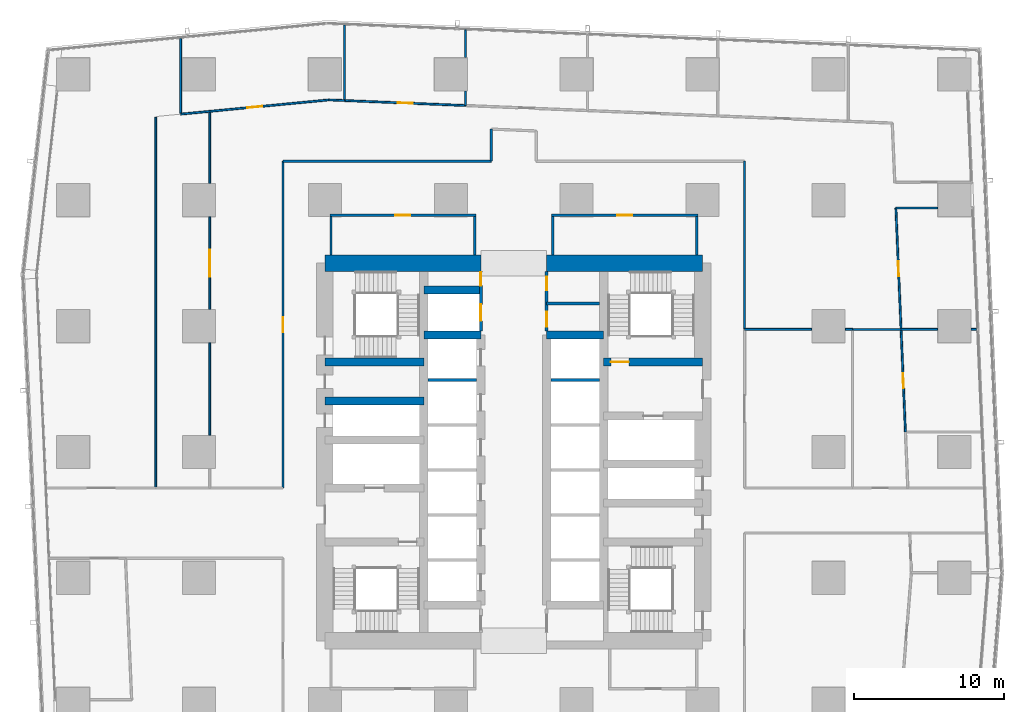
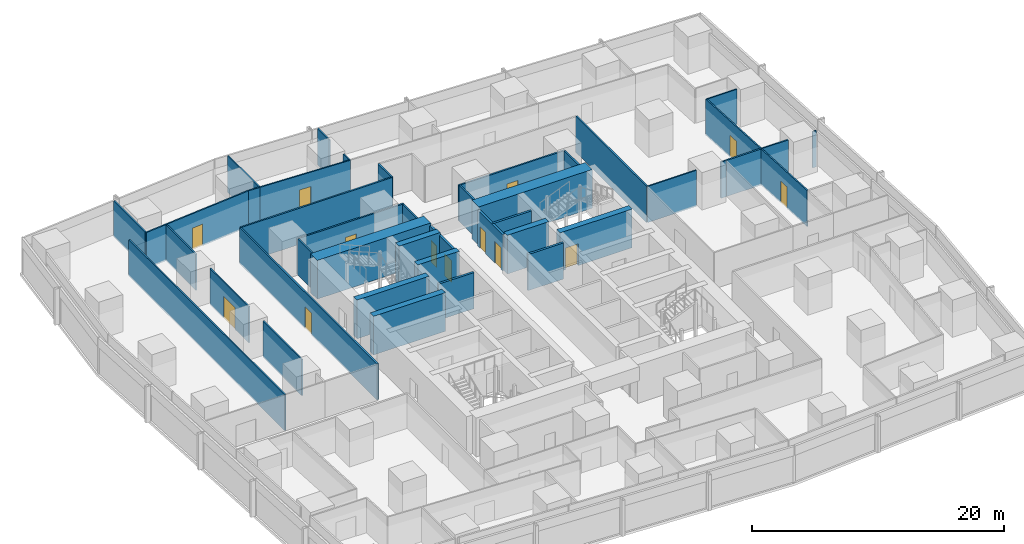
# One storey, part 34 of 44: 42 walls, 13 doors, 13 openings.
"""IFC4 building model written with IfcOpenShell, lengths in metres."""

import ifcopenshell
import ifcopenshell.guid

model = None  # the IFC model being written
_history = None  # IfcOwnerHistory: only IFC2X3 demands one
_inside = {}  # id of a spatial element -> (the spatial element, [elements in it])
_under = {}  # id of a project, library or spatial element -> (it, [spatial elements below it])
_declared = {}  # id of a project -> (the project, [libraries it declares])
_typed = {}  # id of a type object -> (the type object, [elements of that type])
_made_of = {}  # id of a material, layer set ... -> (it, [elements and type objects made of it])


def new_model(schema):
    """Start an empty IFC model of exactly this schema.

    Asked for "IFC4X3", IfcOpenShell would pick the latest addendum, in which some entities
    have other attributes; the version numbers below select the first issue.
    IFC2X3 requires an IfcOwnerHistory on every rooted entity: one is made here for all.
    """
    global model, _history
    if schema == "IFC4X3":
        model = ifcopenshell.file(schema_version=(4, 3, 0, 0))
    else:
        model = ifcopenshell.file(schema=schema)
    _inside.clear()
    _under.clear()
    _declared.clear()
    _typed.clear()
    _made_of.clear()
    _history = None
    if model.schema == "IFC2X3":
        org = make("IfcOrganization", Name="unknown")
        user = make(
            "IfcPersonAndOrganization",
            ThePerson=make("IfcPerson", FamilyName="unknown"),
            TheOrganization=org,
        )
        app = make(
            "IfcApplication",
            ApplicationDeveloper=org,
            Version="unknown",
            ApplicationFullName="unknown",
            ApplicationIdentifier="unknown",
        )
        _history = make(
            "IfcOwnerHistory",
            OwningUser=user,
            OwningApplication=app,
            ChangeAction="ADDED",
            CreationDate=0,
        )
    return model


def make(cls, **values):
    """One entity of the class cls with the attributes given. An attribute that is None is left unset."""
    return model.create_entity(
        cls, **{name: value for name, value in values.items() if value is not None}
    )


def rooted(cls, **values):
    """An entity with a GlobalId (a new one), such as an element, a storey or a relation."""
    return make(cls, GlobalId=ifcopenshell.guid.new(), OwnerHistory=_history, **values)


def si_unit(unit_type, name, prefix=None):
    """IfcSIUnit, for example si_unit("LENGTHUNIT", "METRE", prefix="MILLI")."""
    return make("IfcSIUnit", UnitType=unit_type, Prefix=prefix, Name=name)


def assignment(units):
    """IfcUnitAssignment: the units of a project."""
    return None if units is None else make("IfcUnitAssignment", Units=units)


def point(xyz):
    """IfcCartesianPoint."""
    return None if xyz is None else make("IfcCartesianPoint", Coordinates=xyz)


def direction(xyz):
    """IfcDirection."""
    return None if xyz is None else make("IfcDirection", DirectionRatios=xyz)


def frame(location, z_axis=None, x_axis=None):
    """IfcAxis2Placement3D, a coordinate frame: its origin and axes. An axis left out is left unset."""
    return make(
        "IfcAxis2Placement3D",
        Location=point(location),
        Axis=direction(z_axis),
        RefDirection=direction(x_axis),
    )


def frame_2d(location, x_axis=None):
    """IfcAxis2Placement2D, a coordinate frame in the plane: its origin and x axis."""
    return make(
        "IfcAxis2Placement2D", Location=point(location), RefDirection=direction(x_axis)
    )


def origin():
    """The frame at (0, 0, 0) with its axes left unset."""
    return frame((0.0, 0.0, 0.0))


def place(relative_to, where):
    """IfcLocalPlacement: puts the frame where relative to a parent placement (None: the world)."""
    return make(
        "IfcLocalPlacement", PlacementRelTo=relative_to, RelativePlacement=where
    )


def context(
    kind, dimensions, precision=None, world=None, true_north=None, identifier=None
):
    """IfcGeometricRepresentationContext, for example the 3D "Model" context."""
    return make(
        "IfcGeometricRepresentationContext",
        ContextIdentifier=identifier,
        ContextType=kind,
        CoordinateSpaceDimension=dimensions,
        Precision=precision,
        WorldCoordinateSystem=world,
        TrueNorth=true_north,
    )


def subcontext(parent, identifier, kind, view, scale=None):
    """IfcGeometricRepresentationSubContext, for example "Body" below "Model"."""
    return make(
        "IfcGeometricRepresentationSubContext",
        ContextIdentifier=identifier,
        ContextType=kind,
        ParentContext=parent,
        TargetScale=scale,
        TargetView=view,
    )


def project(units=None, contexts=None):
    """IfcProject with its units and contexts."""
    return rooted(
        "IfcProject",
        Name="project",
        RepresentationContexts=contexts,
        UnitsInContext=assignment(units),
    )


def spatial(cls, under=None, at=None, **own):
    """A site, building, storey or space (cls), placed at a placement, below another one or the project."""
    s = rooted(cls, ObjectPlacement=at, **own)
    if under is not None:
        _under.setdefault(under.id(), (under, []))[1].append(s)
    return s


def profile(cls, at=None, kind="AREA", **sizes):
    """A parametric profile (cls). Its sizes go by their IFC names, for example OverallWidth=200.0."""
    return make(cls, ProfileType=kind, Position=at, **sizes)


def rectangle(**sizes):
    """IfcRectangleProfileDef."""
    return profile("IfcRectangleProfileDef", **sizes)


def extrude(swept, where, along, depth):
    """IfcExtrudedAreaSolid: the profile swept, set in the frame where, extruded along a direction by depth."""
    return make(
        "IfcExtrudedAreaSolid",
        SweptArea=swept,
        Position=where,
        ExtrudedDirection=direction(along),
        Depth=depth,
    )


def shape(context_of_items, identifier, shape_type, items):
    """IfcShapeRepresentation: the items that make up one representation, for example the "Body"."""
    return make(
        "IfcShapeRepresentation",
        ContextOfItems=context_of_items,
        RepresentationIdentifier=identifier,
        RepresentationType=shape_type,
        Items=items,
    )


def material(Name=None, Category=None):
    """IfcMaterial."""
    return make("IfcMaterial", Name=Name, Category=Category)


def layer(
    of_material, thickness, ventilated=None, Name=None, Category=None, Priority=None
):
    """IfcMaterialLayer: one layer of a wall or slab, of a material (None: an air gap)."""
    return make(
        "IfcMaterialLayer",
        Material=of_material,
        LayerThickness=thickness,
        IsVentilated=ventilated,
        Name=Name,
        Category=Category,
        Priority=Priority,
    )


def layer_set(layers, Name=None):
    """IfcMaterialLayerSet."""
    return make("IfcMaterialLayerSet", MaterialLayers=layers, LayerSetName=Name)


def made_of(thing, what):
    """Note that an element or type object is made of a material, layer set ...; save() writes the relation."""
    if what is not None:
        _made_of.setdefault(what.id(), (what, []))[1].append(thing)
    return thing


def type_object(cls, material=None, **own):
    """A type object (cls), such as IfcWallType, which elements share."""
    return made_of(rooted(cls, **own), material)


def element(
    cls,
    number,
    at=None,
    inside=None,
    cuts=None,
    type_object=None,
    material=None,
    context=None,
    identifier="Body",
    shape_type=None,
    held_by="IfcProductDefinitionShape",
    body=None,
    shapes=None,
    **own,
):
    """One element of the class cls, such as IfcWall. Its Tag is "e" and its number.

    at: its placement. inside: the storey or other place that contains it. cuts: it is an
    opening in that element (IfcRelVoidsElement). A single representation is given by context,
    identifier, shape_type and body (its items); several are given by shapes. held_by: the class
    of the entity that holds the representations. save() writes the other relations.
    """
    e = rooted(cls, Tag="e%d" % number, ObjectPlacement=at, **own)
    if body is not None:
        shapes = [shape(context, identifier, shape_type, body)]
    if shapes is not None:
        e.Representation = make(held_by, Representations=shapes)
    if inside is not None:
        _inside.setdefault(inside.id(), (inside, []))[1].append(e)
    if cuts is not None:
        rooted(
            "IfcRelVoidsElement", RelatingBuildingElement=cuts, RelatedOpeningElement=e
        )
    if type_object is not None:
        _typed.setdefault(type_object.id(), (type_object, []))[1].append(e)
    return made_of(e, material)


def fill(opening, filler):
    """IfcRelFillsElement: the door or window that sits in an opening."""
    return rooted(
        "IfcRelFillsElement",
        RelatingOpeningElement=opening,
        RelatedBuildingElement=filler,
    )


def aggregate(whole, parts):
    """IfcRelAggregates: a whole, such as a stair, and the parts it consists of."""
    return rooted("IfcRelAggregates", RelatingObject=whole, RelatedObjects=parts)


def save(model, path):
    """Write the relations noted so far, then the file.

    IfcRelAggregates (storeys below a building ...), IfcRelContainedInSpatialStructure (elements
    in a storey), IfcRelDefinesByType, IfcRelAssociatesMaterial and IfcRelDeclares: one each for
    every whole, place, type object, material and project.
    """
    for whole, parts in _under.values():
        aggregate(whole, parts)
    for where, things in _inside.values():
        rooted(
            "IfcRelContainedInSpatialStructure",
            RelatedElements=things,
            RelatingStructure=where,
        )
    for kind, things in _typed.values():
        rooted("IfcRelDefinesByType", RelatedObjects=things, RelatingType=kind)
    for what, things in _made_of.values():
        rooted("IfcRelAssociatesMaterial", RelatedObjects=things, RelatingMaterial=what)
    for by, libraries in _declared.values():
        rooted("IfcRelDeclares", RelatingContext=by, RelatedDefinitions=libraries)
    model.write(path)


model = new_model("IFC4")

# Units and contexts
model_context = context("Model", 3, precision=1e-05, world=origin(), true_north=direction((0.0, 1.0)))
body_context = subcontext(model_context, "Body", "Model", "MODEL_VIEW")
ifc_project = project(units=[si_unit("LENGTHUNIT", "METRE"), si_unit("AREAUNIT", "SQUARE_METRE"), si_unit("VOLUMEUNIT", "CUBIC_METRE"), si_unit("PLANEANGLEUNIT", "RADIAN"), si_unit("MASSUNIT", "GRAM", prefix="KILO")], contexts=[model_context])

# Site, building, storey
site_placement = place(None, origin())
site = spatial("IfcSite", under=ifc_project, at=site_placement, CompositionType="ELEMENT")
building_placement = place(site_placement, origin())
building = spatial("IfcBuilding", under=site, at=building_placement, Name="Rekha Terrace Tower", CompositionType="ELEMENT")
storey_placement = place(building_placement, frame((0.0, 0.0, 59.14990234375)))
storey = spatial("IfcBuildingStorey", under=building, at=storey_placement, Name="L14", CompositionType="ELEMENT", Elevation=59.14990234375)

# Walls
ifc_material_1 = material(Name="Concrete M70", Category="concrete")
ifc_layer_1 = layer(ifc_material_1, 0.550048828125)
ifc_layer_set_1 = layer_set([ifc_layer_1], Name="Concrete M70")
wall_type_1 = type_object("IfcWallType", Name="CI1 550 core internal shear wall", PredefinedType="SHEAR", material=ifc_layer_set_1)
for number, where, z_axis, x_axis, name in (
    (1, (31.800048828125, 41.39990234375, 0.0), (0.0, 0.0, 1.0), (1.0, 0.0, 0.0), "Core wall Y414W L14"),
    (2, (31.800048828125, 44.39990234375, 0.0), (0.0, 0.0, 1.0), (1.0, 0.0, 0.0), "Core wall Y444W L14"),
    (3, (40.0, 41.39990234375, 0.0), (0.0, 0.0, 1.0), (1.0, 0.0, 0.0), "Core wall Y414E L14"),
):
    element("IfcWall", number, at=place(storey_placement, frame(where, z_axis=z_axis, x_axis=x_axis)), inside=storey, type_object=wall_type_1, Name=name, PredefinedType="SHEAR", context=body_context, shape_type="SweptSolid", body=[
        extrude(rectangle(XDim=3.800048828125, YDim=0.550048828125, at=frame_2d((1.89990234375, 0.0))), origin(), (0.0, 0.0, 1.0), 3.75),
    ])
for number, where, z_axis, x_axis, name in (
    (4, (25.199951171875, 37.0, 0.0), (0.0, 0.0, 1.0), (1.0, 0.0, 0.0), "Core wall Y370W L14"),
    (5, (25.199951171875, 39.60009765625, 0.0), (0.0, 0.0, 1.0), (1.0, 0.0, 0.0), "Core wall Y396W L14"),
):
    element("IfcWall", number, at=place(storey_placement, frame(where, z_axis=z_axis, x_axis=x_axis)), inside=storey, type_object=wall_type_1, Name=name, PredefinedType="SHEAR", context=body_context, shape_type="SweptSolid", body=[
        extrude(rectangle(XDim=6.60009765625, YDim=0.550048828125, at=frame_2d((3.300048828125, 0.0))), origin(), (0.0, 0.0, 1.0), 3.75),
    ])

# Wall, opening, door
wall_1_placement = place(storey_placement, frame((43.800048828125, 39.60009765625, 0.0), z_axis=(0.0, 0.0, 1.0), x_axis=(1.0, 0.0, 0.0)))
wall_1 = element("IfcWall", 6, at=wall_1_placement, inside=storey, type_object=wall_type_1, Name="Core wall Y396E L14", PredefinedType="SHEAR", context=body_context, shape_type="SweptSolid", body=[
    extrude(rectangle(XDim=6.599853515625, YDim=0.550048828125, at=frame_2d((3.2998046875, 0.0))), origin(), (0.0, 0.0, 1.0), 3.75),
])
opening_1_placement = place(wall_1_placement, frame((0.47509765625, 0.0, 0.0)))
opening_1 = element("IfcOpeningElement", 7, at=opening_1_placement, cuts=wall_1, Name="Opening D1", PredefinedType="OPENING", context=body_context, shape_type="SweptSolid", body=[
    extrude(rectangle(XDim=1.199951171875, YDim=2.10009765625, at=frame_2d((0.60009765625, 1.050048828125))), frame((0.0, 0.284912109375, 0.0), z_axis=(0.0, -1.0, 0.0), x_axis=(1.0, 0.0, 0.0)), (0.0, 0.0, 1.0), 0.570068359375),
])
ifc_material_2 = material(Name="Steel fire door", Category="steel")
door_type_1 = type_object("IfcDoorType", Name="D1 1200x2100 stair fire door", OperationType="SINGLE_SWING_RIGHT", PredefinedType="DOOR", material=ifc_material_2)
door_1_placement = place(opening_1_placement, origin())
door_1 = element("IfcDoor", 8, at=door_1_placement, inside=storey, type_object=door_type_1, Name="Stair ST2 door L14", OperationType="SINGLE_SWING_RIGHT", OverallHeight=2.10009765625, OverallWidth=1.199951171875, PredefinedType="DOOR", context=body_context, shape_type="SweptSolid", body=[
    extrude(rectangle(XDim=1.199951171875, YDim=2.10009765625, at=frame_2d((0.60009765625, 1.050048828125))), frame((0.0, 0.02490234375, 0.0), z_axis=(0.0, -1.0, 0.0), x_axis=(1.0, 0.0, 0.0)), (0.0, 0.0, 1.0), 0.050048828125),
])
fill(opening_1, door_1)

# Walls
ifc_layer_2 = layer(ifc_material_1, 1.10009765625)
ifc_layer_set_2 = layer_set([ifc_layer_2], Name="Concrete M70")
wall_type_2 = type_object("IfcWallType", Name="SW1 1100 core outer shear wall", PredefinedType="SHEAR", material=ifc_layer_set_2)
wall_2_placement = place(storey_placement, frame((25.199951171875, 46.199951171875, 0.0), z_axis=(0.0, 0.0, 1.0), x_axis=(1.0, 0.0, 0.0)))
element("IfcWall", 9, at=wall_2_placement, inside=storey, type_object=wall_type_2, Name="Core wall N1 L14", PredefinedType="SHEAR", context=body_context, shape_type="SweptSolid", body=[
    extrude(rectangle(XDim=10.400146484375, YDim=1.10009765625, at=frame_2d((5.2001953125, 0.0))), origin(), (0.0, 0.0, 1.0), 3.75),
])
wall_3_placement = place(storey_placement, frame((40.0, 46.199951171875, 0.0), z_axis=(0.0, 0.0, 1.0), x_axis=(1.0, 0.0, 0.0)))
element("IfcWall", 10, at=wall_3_placement, inside=storey, type_object=wall_type_2, Name="Core wall N2 L14", PredefinedType="SHEAR", context=body_context, shape_type="SweptSolid", body=[
    extrude(rectangle(XDim=10.39990234375, YDim=1.10009765625, at=frame_2d((5.199951171875, 0.0))), origin(), (0.0, 0.0, 1.0), 3.75),
])

# Wall, opening, door
ifc_material_3 = material(Name="Concrete block masonry, 1 hour", Category="masonry")
ifc_layer_3 = layer(ifc_material_3, 0.14990234375)
ifc_layer_set_3 = layer_set([ifc_layer_3], Name="Concrete block masonry, 1 hour")
wall_type_3 = type_object("IfcWallType", Name="WP2 150 tenancy partition", PredefinedType="PARTITIONING", material=ifc_layer_set_3)
wall_4_placement = place(storey_placement, frame((40.324951171875, 49.39990234375, 0.0), z_axis=(0.0, 0.0, 1.0), x_axis=(1.0, 0.0, 0.0)))
wall_4 = element("IfcWall", 11, at=wall_4_placement, inside=storey, type_object=wall_type_3, Name="Women's WC wall L14", PredefinedType="PARTITIONING", context=body_context, shape_type="SweptSolid", body=[
    extrude(rectangle(XDim=9.75, YDim=0.14990234375, at=frame_2d((4.875, 0.0))), origin(), (0.0, 0.0, 1.0), 3.5),
])
opening_2_placement = place(wall_4_placement, frame((4.375, 0.0, 0.0)))
opening_2 = element("IfcOpeningElement", 12, at=opening_2_placement, cuts=wall_4, Name="Opening D3", PredefinedType="OPENING", context=body_context, shape_type="SweptSolid", body=[
    extrude(rectangle(XDim=1.0, YDim=2.10009765625, at=frame_2d((0.5, 1.050048828125))), frame((0.0, 0.0849609375, 0.0), z_axis=(0.0, -1.0, 0.0), x_axis=(1.0, 0.0, 0.0)), (0.0, 0.0, 1.0), 0.169921875),
])
ifc_material_4 = material(Name="Laminated timber fire door", Category="wood")
door_type_2 = type_object("IfcDoorType", Name="D3 1000x2100 WC door", OperationType="SINGLE_SWING_LEFT", PredefinedType="DOOR", material=ifc_material_4)
door_2_placement = place(opening_2_placement, origin())
door_2 = element("IfcDoor", 13, at=door_2_placement, inside=storey, type_object=door_type_2, Name="Door women's wc L14", OperationType="SINGLE_SWING_LEFT", OverallHeight=2.10009765625, OverallWidth=1.0, PredefinedType="DOOR", context=body_context, shape_type="SweptSolid", body=[
    extrude(rectangle(XDim=1.0, YDim=2.10009765625, at=frame_2d((0.5, 1.050048828125))), frame((0.0, 0.02490234375, 0.0), z_axis=(0.0, -1.0, 0.0), x_axis=(1.0, 0.0, 0.0)), (0.0, 0.0, 1.0), 0.050048828125),
])
fill(opening_2, door_2)

# Walls
for number, where, z_axis, x_axis, name in (
    (14, (40.39990234375, 46.75, 0.0), (0.0, 0.0, 1.0), (0.0, 1.0, 0.0), "Women's WC wall L14"),
    (15, (50.0, 46.75, 0.0), (0.0, 0.0, 1.0), (0.0, 1.0, 0.0), "Women's WC wall L14"),
):
    element("IfcWall", number, at=place(storey_placement, frame(where, z_axis=z_axis, x_axis=x_axis)), inside=storey, type_object=wall_type_3, Name=name, PredefinedType="PARTITIONING", context=body_context, shape_type="SweptSolid", body=[
        extrude(rectangle(XDim=2.574951171875, YDim=0.14990234375, at=frame_2d((1.28759765625, 0.0))), origin(), (0.0, 0.0, 1.0), 3.5),
    ])

# Wall, opening, door
wall_5_placement = place(storey_placement, frame((25.52490234375, 49.39990234375, 0.0), z_axis=(0.0, 0.0, 1.0), x_axis=(1.0, 0.0, 0.0)))
wall_5 = element("IfcWall", 16, at=wall_5_placement, inside=storey, type_object=wall_type_3, Name="Women's WC wall L14", PredefinedType="PARTITIONING", context=body_context, shape_type="SweptSolid", body=[
    extrude(rectangle(XDim=9.75, YDim=0.14990234375, at=frame_2d((4.875, 0.0))), origin(), (0.0, 0.0, 1.0), 3.5),
])
opening_3_placement = place(wall_5_placement, frame((4.375, 0.0, 0.0)))
opening_3 = element("IfcOpeningElement", 17, at=opening_3_placement, cuts=wall_5, Name="Opening D3", PredefinedType="OPENING", context=body_context, shape_type="SweptSolid", body=[
    extrude(rectangle(XDim=1.0, YDim=2.10009765625, at=frame_2d((0.5, 1.050048828125))), frame((0.0, 0.0849609375, 0.0), z_axis=(0.0, -1.0, 0.0), x_axis=(1.0, 0.0, 0.0)), (0.0, 0.0, 1.0), 0.169921875),
])
door_3_placement = place(opening_3_placement, origin())
door_3 = element("IfcDoor", 18, at=door_3_placement, inside=storey, type_object=door_type_2, Name="Door women's wc L14", OperationType="SINGLE_SWING_LEFT", OverallHeight=2.10009765625, OverallWidth=1.0, PredefinedType="DOOR", context=body_context, shape_type="SweptSolid", body=[
    extrude(rectangle(XDim=1.0, YDim=2.10009765625, at=frame_2d((0.5, 1.050048828125))), frame((0.0, 0.02490234375, 0.0), z_axis=(0.0, -1.0, 0.0), x_axis=(1.0, 0.0, 0.0)), (0.0, 0.0, 1.0), 0.050048828125),
])
fill(opening_3, door_3)

# Walls
for number, where, z_axis, x_axis, name in (
    (19, (25.60009765625, 46.75, 0.0), (0.0, 0.0, 1.0), (0.0, 1.0, 0.0), "Women's WC wall L14"),
    (20, (35.199951171875, 46.75, 0.0), (0.0, 0.0, 1.0), (0.0, 1.0, 0.0), "Women's WC wall L14"),
):
    element("IfcWall", number, at=place(storey_placement, frame(where, z_axis=z_axis, x_axis=x_axis)), inside=storey, type_object=wall_type_3, Name=name, PredefinedType="PARTITIONING", context=body_context, shape_type="SweptSolid", body=[
        extrude(rectangle(XDim=2.574951171875, YDim=0.14990234375, at=frame_2d((1.28759765625, 0.0))), origin(), (0.0, 0.0, 1.0), 3.5),
    ])
wall_6_placement = place(storey_placement, frame((60.39990234375, 41.781005859375, 0.0), z_axis=(0.0, 0.0, 1.0), x_axis=(1.0, 0.0, 0.0)))
element("IfcWall", 21, at=wall_6_placement, inside=storey, type_object=wall_type_3, Name="Partition L14-O2", PredefinedType="PARTITIONING", context=body_context, shape_type="SweptSolid", body=[
    extrude(rectangle(XDim=3.239013671875, YDim=0.14990234375, at=frame_2d((1.61962890625, 0.0))), origin(), (0.0, 0.0, 1.0), 3.5),
])
wall_7_placement = place(storey_placement, frame((53.199951171875, 41.781982421875, 0.0), z_axis=(0.0, 0.0, 1.0), x_axis=(0.0, 1.0, 0.0)))
element("IfcWall", 22, at=wall_7_placement, inside=storey, type_object=wall_type_3, Name="Partition L14-O3", PredefinedType="PARTITIONING", context=body_context, shape_type="SweptSolid", body=[
    extrude(rectangle(XDim=11.218017578125, YDim=0.14990234375, at=frame_2d((5.60888671875, 0.0))), origin(), (0.0, 0.0, 1.0), 3.5),
])
wall_8_placement = place(storey_placement, frame((36.300048828125, 55.14208984375, 0.0), z_axis=(0.0, 0.0, 1.0), x_axis=(0.0, -1.0, 0.0)))
element("IfcWall", 23, at=wall_8_placement, inside=storey, type_object=wall_type_3, Name="Partition L14-O3", PredefinedType="PARTITIONING", context=body_context, shape_type="SweptSolid", body=[
    extrude(rectangle(XDim=2.14208984375, YDim=0.14990234375, at=frame_2d((1.071044921875, 0.0))), origin(), (0.0, 0.0, 1.0), 3.5),
])
wall_9_placement = place(storey_placement, frame((36.300048828125, 53.0, 0.0), z_axis=(0.0, 0.0, 1.0), x_axis=(-1.0, 0.0, 0.0)))
element("IfcWall", 24, at=wall_9_placement, inside=storey, type_object=wall_type_3, Name="Partition L14-O3", PredefinedType="PARTITIONING", context=body_context, shape_type="SweptSolid", body=[
    extrude(rectangle(XDim=13.900146484375, YDim=0.14990234375, at=frame_2d((6.9501953125, 0.0))), origin(), (0.0, 0.0, 1.0), 3.5),
])

# Wall, opening, door
wall_10_placement = place(storey_placement, frame((22.39990234375, 53.0, 0.0), z_axis=(0.0, 0.0, 1.0), x_axis=(0.0, -1.0, 0.0)))
wall_10 = element("IfcWall", 25, at=wall_10_placement, inside=storey, type_object=wall_type_3, Name="Partition L14-O3", PredefinedType="PARTITIONING", context=body_context, shape_type="SweptSolid", body=[
    extrude(rectangle(XDim=21.800048828125, YDim=0.14990234375, at=frame_2d((10.89990234375, 0.0))), origin(), (0.0, 0.0, 1.0), 3.5),
])
opening_4_placement = place(wall_10_placement, frame((10.39990234375, 0.0, 0.0)))
opening_4 = element("IfcOpeningElement", 26, at=opening_4_placement, cuts=wall_10, Name="Opening D9", PredefinedType="OPENING", context=body_context, shape_type="SweptSolid", body=[
    extrude(rectangle(XDim=1.0, YDim=2.10009765625, at=frame_2d((0.5, 1.050048828125))), frame((0.0, 0.0849609375, 0.0), z_axis=(0.0, -1.0, 0.0), x_axis=(1.0, 0.0, 0.0)), (0.0, 0.0, 1.0), 0.169921875),
])
ifc_material_5 = material(Name="Timber fire door", Category="wood")
door_type_3 = type_object("IfcDoorType", Name="D9 1000x2100 office door", OperationType="SINGLE_SWING_LEFT", PredefinedType="DOOR", material=ifc_material_5)
door_4_placement = place(opening_4_placement, origin())
door_4 = element("IfcDoor", 27, at=door_4_placement, inside=storey, type_object=door_type_3, Name="Door open-plan office L14", OperationType="SINGLE_SWING_LEFT", OverallHeight=2.10009765625, OverallWidth=1.0, PredefinedType="DOOR", context=body_context, shape_type="SweptSolid", body=[
    extrude(rectangle(XDim=1.0, YDim=2.10009765625, at=frame_2d((0.5, 1.050048828125))), frame((0.0, 0.02490234375, 0.0), z_axis=(0.0, -1.0, 0.0), x_axis=(1.0, 0.0, 0.0)), (0.0, 0.0, 1.0), 0.050048828125),
])
fill(opening_4, door_4)

ifc_material_6 = material(Name="Two layers of fire-rated gypsum board each side on steel studs, acoustic quilt, 1 hour", Category="steel")
ifc_layer_4 = layer(ifc_material_6, 0.125)
ifc_layer_set_4 = layer_set([ifc_layer_4], Name="Two layers of fire-rated gypsum board each side on steel studs, acoustic quilt, 1 hour")
wall_type_4 = type_object("IfcWallType", Name="WP3 125 office partition", PredefinedType="PARTITIONING", material=ifc_layer_set_4)
wall_11_placement = place(storey_placement, frame((63.930908203125, 34.929931640625, 0.0), z_axis=(0.0, 0.0, 1.0), x_axis=(-0.042581257085, 0.999093006954, 0.0)))
wall_11 = element("IfcWall", 28, at=wall_11_placement, inside=storey, type_object=wall_type_4, Name="Partition L14-11", PredefinedType="PARTITIONING", context=body_context, shape_type="SweptSolid", body=[
    extrude(rectangle(XDim=6.857177734375, YDim=0.125, at=frame_2d((3.4287109375, 0.0))), origin(), (0.0, 0.0, 1.0), 3.5),
])
opening_5_placement = place(wall_11_placement, frame((2.928955078125, 0.0, 0.0)))
opening_5 = element("IfcOpeningElement", 29, at=opening_5_placement, cuts=wall_11, Name="Opening D9", PredefinedType="OPENING", context=body_context, shape_type="SweptSolid", body=[
    extrude(rectangle(XDim=1.0, YDim=2.10009765625, at=frame_2d((0.5, 1.050048828125))), frame((0.0, 0.072509765625, 0.0), z_axis=(0.0, -1.0, 0.0), x_axis=(1.0, 0.0, 0.0)), (0.0, 0.0, 1.0), 0.14501953125),
])
door_5_placement = place(opening_5_placement, origin())
door_5 = element("IfcDoor", 30, at=door_5_placement, inside=storey, type_object=door_type_3, Name="Door office L14", OperationType="SINGLE_SWING_LEFT", OverallHeight=2.10009765625, OverallWidth=1.0, PredefinedType="DOOR", context=body_context, shape_type="SweptSolid", body=[
    extrude(rectangle(XDim=1.0, YDim=2.10009765625, at=frame_2d((0.5, 1.050048828125))), frame((0.0, 0.02490234375, 0.0), z_axis=(0.0, -1.0, 0.0), x_axis=(1.0, 0.0, 0.0)), (0.0, 0.0, 1.0), 0.050048828125),
])
fill(opening_5, door_5)

# Walls
wall_12_placement = place(storey_placement, frame((63.638916015625, 41.781005859375, 0.0), z_axis=(0.0, 0.0, 1.0), x_axis=(1.0, 0.0, 0.0)))
element("IfcWall", 31, at=wall_12_placement, inside=storey, type_object=wall_type_4, Name="Partition L14-11", PredefinedType="PARTITIONING", context=body_context, shape_type="SweptSolid", body=[
    extrude(rectangle(XDim=2.441162109375, YDim=0.125, at=frame_2d((1.220703125, 0.0))), origin(), (0.0, 0.0, 1.0), 3.5),
])
wall_13_placement = place(storey_placement, frame((68.320068359375, 41.781005859375, 0.0), z_axis=(0.0, 0.0, 1.0), x_axis=(1.0, 0.0, 0.0)))
element("IfcWall", 32, at=wall_13_placement, inside=storey, type_object=wall_type_4, Name="Partition L14-11", PredefinedType="PARTITIONING", context=body_context, shape_type="SweptSolid", body=[
    extrude(rectangle(XDim=0.343017578125, YDim=0.125, at=frame_2d((0.17138671875, 0.0))), origin(), (0.0, 0.0, 1.0), 3.5),
])
wall_14_placement = place(storey_placement, frame((53.199951171875, 41.781005859375, 0.0), z_axis=(0.0, 0.0, 1.0), x_axis=(1.0, 0.0, 0.0)))
element("IfcWall", 33, at=wall_14_placement, inside=storey, type_object=wall_type_4, Name="Partition L14-12", PredefinedType="PARTITIONING", context=body_context, shape_type="SweptSolid", body=[
    extrude(rectangle(XDim=4.47998046875, YDim=0.125, at=frame_2d((2.239990234375, 0.0))), origin(), (0.0, 0.0, 1.0), 3.5),
])
wall_15_placement = place(storey_placement, frame((59.919921875, 41.781005859375, 0.0), z_axis=(0.0, 0.0, 1.0), x_axis=(1.0, 0.0, 0.0)))
element("IfcWall", 34, at=wall_15_placement, inside=storey, type_object=wall_type_4, Name="Partition L14-12", PredefinedType="PARTITIONING", context=body_context, shape_type="SweptSolid", body=[
    extrude(rectangle(XDim=0.47998046875, YDim=0.125, at=frame_2d((0.239990234375, 0.0))), origin(), (0.0, 0.0, 1.0), 3.5),
])
wall_16_placement = place(storey_placement, frame((63.29296875, 49.87890625, 0.0), z_axis=(0.0, 0.0, 1.0), x_axis=(1.0, 0.0, 0.0)))
element("IfcWall", 35, at=wall_16_placement, inside=storey, type_object=wall_type_4, Name="Partition L14-13", PredefinedType="PARTITIONING", context=body_context, shape_type="SweptSolid", body=[
    extrude(rectangle(XDim=2.787109375, YDim=0.125, at=frame_2d((1.3935546875, 0.0))), origin(), (0.0, 0.0, 1.0), 3.5),
])

# Wall, opening, door
wall_17_placement = place(storey_placement, frame((63.638916015625, 41.781982421875, 0.0), z_axis=(0.0, 0.0, 1.0), x_axis=(-0.042686820675, 0.999088502256, 0.0)))
wall_17 = element("IfcWall", 36, at=wall_17_placement, inside=storey, type_object=wall_type_4, Name="Partition L14-13", PredefinedType="PARTITIONING", context=body_context, shape_type="SweptSolid", body=[
    extrude(rectangle(XDim=8.104248046875, YDim=0.125, at=frame_2d((4.05224609375, 0.0))), origin(), (0.0, 0.0, 1.0), 3.5),
])
opening_6_placement = place(wall_17_placement, frame((3.552001953125, 0.0, 0.0)))
opening_6 = element("IfcOpeningElement", 37, at=opening_6_placement, cuts=wall_17, Name="Opening D9", PredefinedType="OPENING", context=body_context, shape_type="SweptSolid", body=[
    extrude(rectangle(XDim=1.0, YDim=2.10009765625, at=frame_2d((0.5, 1.050048828125))), frame((0.0, 0.072509765625, 0.0), z_axis=(0.0, -1.0, 0.0), x_axis=(1.0, 0.0, 0.0)), (0.0, 0.0, 1.0), 0.14501953125),
])
door_6_placement = place(opening_6_placement, origin())
door_6 = element("IfcDoor", 38, at=door_6_placement, inside=storey, type_object=door_type_3, Name="Door office L14", OperationType="SINGLE_SWING_LEFT", OverallHeight=2.10009765625, OverallWidth=1.0, PredefinedType="DOOR", context=body_context, shape_type="SweptSolid", body=[
    extrude(rectangle(XDim=1.0, YDim=2.10009765625, at=frame_2d((0.5, 1.050048828125))), frame((0.0, 0.02490234375, 0.0), z_axis=(0.0, -1.0, 0.0), x_axis=(1.0, 0.0, 0.0)), (0.0, 0.0, 1.0), 0.050048828125),
])
fill(opening_6, door_6)

# Walls
wall_18_placement = place(storey_placement, frame((34.583984375, 56.714111328125, 0.0), z_axis=(0.0, 0.0, 1.0), x_axis=(0.0, 1.0, 0.0)))
element("IfcWall", 39, at=wall_18_placement, inside=storey, type_object=wall_type_4, Name="Partition L14-17", PredefinedType="PARTITIONING", context=body_context, shape_type="SweptSolid", body=[
    extrude(rectangle(XDim=0.9658203125, YDim=0.125, at=frame_2d((0.48291015625, 0.0))), origin(), (0.0, 0.0, 1.0), 3.5),
])
wall_19_placement = place(storey_placement, frame((34.583984375, 59.919921875, 0.0), z_axis=(0.0, 0.0, 1.0), x_axis=(0.0, 1.0, 0.0)))
element("IfcWall", 40, at=wall_19_placement, inside=storey, type_object=wall_type_4, Name="Partition L14-17", PredefinedType="PARTITIONING", context=body_context, shape_type="SweptSolid", body=[
    extrude(rectangle(XDim=1.84814453125, YDim=0.125, at=frame_2d((0.924072265625, 0.0))), origin(), (0.0, 0.0, 1.0), 3.5),
])

# Wall, opening, door
wall_20_placement = place(storey_placement, frame((34.5830078125, 56.714111328125, 0.0), z_axis=(0.0, 0.0, 1.0), x_axis=(-0.999150320065, 0.041214535234, 0.0)))
wall_20 = element("IfcWall", 41, at=wall_20_placement, inside=storey, type_object=wall_type_4, Name="Partition L14-18", PredefinedType="PARTITIONING", context=body_context, shape_type="SweptSolid", body=[
    extrude(rectangle(XDim=8.079833984375, YDim=0.125, at=frame_2d((4.0400390625, 0.0))), origin(), (0.0, 0.0, 1.0), 3.5),
])
opening_7_placement = place(wall_20_placement, frame((3.5400390625, 0.0, 0.0)))
opening_7 = element("IfcOpeningElement", 42, at=opening_7_placement, cuts=wall_20, Name="Opening D9", PredefinedType="OPENING", context=body_context, shape_type="SweptSolid", body=[
    extrude(rectangle(XDim=1.0, YDim=2.10009765625, at=frame_2d((0.5, 1.050048828125))), frame((0.0, 0.072509765625, 0.0), z_axis=(0.0, -1.0, 0.0), x_axis=(1.0, 0.0, 0.0)), (0.0, 0.0, 1.0), 0.14501953125),
])
door_7_placement = place(opening_7_placement, origin())
door_7 = element("IfcDoor", 43, at=door_7_placement, inside=storey, type_object=door_type_3, Name="Door office L14", OperationType="SINGLE_SWING_LEFT", OverallHeight=2.10009765625, OverallWidth=1.0, PredefinedType="DOOR", context=body_context, shape_type="SweptSolid", body=[
    extrude(rectangle(XDim=1.0, YDim=2.10009765625, at=frame_2d((0.5, 1.050048828125))), frame((0.0, 0.02490234375, 0.0), z_axis=(0.0, -1.0, 0.0), x_axis=(1.0, 0.0, 0.0)), (0.0, 0.0, 1.0), 0.050048828125),
])
fill(opening_7, door_7)

# Walls
wall_21_placement = place(storey_placement, frame((26.510009765625, 57.047119140625, 0.0), z_axis=(0.0, 0.0, 1.0), x_axis=(0.0, 1.0, 0.0)))
element("IfcWall", 44, at=wall_21_placement, inside=storey, type_object=wall_type_4, Name="Partition L14-18", PredefinedType="PARTITIONING", context=body_context, shape_type="SweptSolid", body=[
    extrude(rectangle(XDim=5.02392578125, YDim=0.125, at=frame_2d((2.511962890625, 0.0))), origin(), (0.0, 0.0, 1.0), 3.5),
])
wall_22_placement = place(storey_placement, frame((15.572998046875, 56.201904296875, 0.0), z_axis=(0.0, 0.0, 1.0), x_axis=(0.0, 1.0, 0.0)))
element("IfcWall", 45, at=wall_22_placement, inside=storey, type_object=wall_type_4, Name="Partition L14-19", PredefinedType="PARTITIONING", context=body_context, shape_type="SweptSolid", body=[
    extrude(rectangle(XDim=4.97998046875, YDim=0.125, at=frame_2d((2.489990234375, 0.0))), origin(), (0.0, 0.0, 1.0), 3.5),
])
wall_23_placement = place(storey_placement, frame((26.509033203125, 57.047119140625, 0.0), z_axis=(0.0, 0.0, 1.0), x_axis=(-0.999152420527, 0.041163582868, 0.0)))
element("IfcWall", 46, at=wall_23_placement, inside=storey, type_object=wall_type_4, Name="Partition L14-19", PredefinedType="PARTITIONING", context=body_context, shape_type="SweptSolid", body=[
    extrude(rectangle(XDim=1.0439453125, YDim=0.125, at=frame_2d((0.52197265625, 0.0))), origin(), (0.0, 0.0, 1.0), 3.5),
])

# Wall, opening, door
wall_24_placement = place(storey_placement, frame((25.466064453125, 57.090087890625, 0.0), z_axis=(0.0, 0.0, 1.0), x_axis=(-0.995409839186, -0.09570398138, 0.0)))
wall_24 = element("IfcWall", 47, at=wall_24_placement, inside=storey, type_object=wall_type_4, Name="Partition L14-19", PredefinedType="PARTITIONING", context=body_context, shape_type="SweptSolid", body=[
    extrude(rectangle(XDim=9.938720703125, YDim=0.125, at=frame_2d((4.96923828125, 0.0))), origin(), (0.0, 0.0, 1.0), 3.5),
])
opening_8_placement = place(wall_24_placement, frame((4.468994140625, 0.0, 0.0)))
opening_8 = element("IfcOpeningElement", 48, at=opening_8_placement, cuts=wall_24, Name="Opening D9", PredefinedType="OPENING", context=body_context, shape_type="SweptSolid", body=[
    extrude(rectangle(XDim=1.0, YDim=2.10009765625, at=frame_2d((0.5, 1.050048828125))), frame((0.0, 0.072509765625, 0.0), z_axis=(0.0, -1.0, 0.0), x_axis=(1.0, 0.0, 0.0)), (0.0, 0.0, 1.0), 0.14501953125),
])
door_8_placement = place(opening_8_placement, origin())
door_8 = element("IfcDoor", 49, at=door_8_placement, inside=storey, type_object=door_type_3, Name="Door office L14", OperationType="SINGLE_SWING_LEFT", OverallHeight=2.10009765625, OverallWidth=1.0, PredefinedType="DOOR", context=body_context, shape_type="SweptSolid", body=[
    extrude(rectangle(XDim=1.0, YDim=2.10009765625, at=frame_2d((0.5, 1.050048828125))), frame((0.0, 0.02490234375, 0.0), z_axis=(0.0, -1.0, 0.0), x_axis=(1.0, 0.0, 0.0)), (0.0, 0.0, 1.0), 0.050048828125),
])
fill(opening_8, door_8)

# Walls
wall_25_placement = place(storey_placement, frame((13.9169921875, 55.9169921875, 0.0), z_axis=(0.0, 0.0, 1.0), x_axis=(0.0, -1.0, 0.0)))
element("IfcWall", 50, at=wall_25_placement, inside=storey, type_object=wall_type_4, Name="Partition L14-21", PredefinedType="PARTITIONING", context=body_context, shape_type="SweptSolid", body=[
    extrude(rectangle(XDim=24.717041015625, YDim=0.125, at=frame_2d((12.3583984375, 0.0))), origin(), (0.0, 0.0, 1.0), 3.5),
])
wall_26_placement = place(storey_placement, frame((17.51708984375, 56.262939453125, 0.0), z_axis=(0.0, 0.0, 1.0), x_axis=(0.0, -1.0, 0.0)))
element("IfcWall", 51, at=wall_26_placement, inside=storey, type_object=wall_type_4, Name="Partition L14-22", PredefinedType="PARTITIONING", context=body_context, shape_type="SweptSolid", body=[
    extrude(rectangle(XDim=4.742919921875, YDim=0.125, at=frame_2d((2.37158203125, 0.0))), origin(), (0.0, 0.0, 1.0), 3.5),
])

# Wall, opening, door
wall_27_placement = place(storey_placement, frame((17.51708984375, 49.280029296875, 0.0), z_axis=(0.0, 0.0, 1.0), x_axis=(0.0, -1.0, 0.0)))
wall_27 = element("IfcWall", 52, at=wall_27_placement, inside=storey, type_object=wall_type_4, Name="Partition L14-22", PredefinedType="PARTITIONING", context=body_context, shape_type="SweptSolid", body=[
    extrude(rectangle(XDim=6.159912109375, YDim=0.125, at=frame_2d((3.080078125, 0.0))), origin(), (0.0, 0.0, 1.0), 3.5),
])
opening_9_placement = place(wall_27_placement, frame((2.179931640625, 0.0, 0.0)))
opening_9 = element("IfcOpeningElement", 53, at=opening_9_placement, cuts=wall_27, Name="Opening D8", PredefinedType="OPENING", context=body_context, shape_type="SweptSolid", body=[
    extrude(rectangle(XDim=1.800048828125, YDim=2.10009765625, at=frame_2d((0.89990234375, 1.050048828125))), frame((0.0, 0.072509765625, 0.0), z_axis=(0.0, -1.0, 0.0), x_axis=(1.0, 0.0, 0.0)), (0.0, 0.0, 1.0), 0.14501953125),
])
door_type_4 = type_object("IfcDoorType", Name="D8 1800x2100 double leaf door", OperationType="DOUBLE_DOOR_SINGLE_SWING", PredefinedType="DOOR", material=ifc_material_5)
door_9_placement = place(opening_9_placement, origin())
door_9 = element("IfcDoor", 54, at=door_9_placement, inside=storey, type_object=door_type_4, Name="Door storage room L14", OperationType="DOUBLE_DOOR_SINGLE_SWING", OverallHeight=2.10009765625, OverallWidth=1.800048828125, PredefinedType="DOOR", context=body_context, shape_type="SweptSolid", body=[
    extrude(rectangle(XDim=1.800048828125, YDim=2.10009765625, at=frame_2d((0.89990234375, 1.050048828125))), frame((0.0, 0.02490234375, 0.0), z_axis=(0.0, -1.0, 0.0), x_axis=(1.0, 0.0, 0.0)), (0.0, 0.0, 1.0), 0.050048828125),
])
fill(opening_9, door_9)

# Walls
wall_28_placement = place(storey_placement, frame((17.51708984375, 40.8798828125, 0.0), z_axis=(0.0, 0.0, 1.0), x_axis=(0.0, -1.0, 0.0)))
element("IfcWall", 55, at=wall_28_placement, inside=storey, type_object=wall_type_4, Name="Partition L14-22", PredefinedType="PARTITIONING", context=body_context, shape_type="SweptSolid", body=[
    extrude(rectangle(XDim=6.159912109375, YDim=0.125, at=frame_2d((3.080078125, 0.0))), origin(), (0.0, 0.0, 1.0), 3.5),
])
ifc_material_7 = material(Name="Solid concrete block masonry, 2 hour", Category="masonry")
ifc_layer_5 = layer(ifc_material_7, 0.199951171875)
ifc_layer_set_5 = layer_set([ifc_layer_5], Name="Solid concrete block masonry, 2 hour")
wall_type_5 = type_object("IfcWallType", Name="WS1 200 stair and shaft enclosure", PredefinedType="PARTITIONING", material=ifc_layer_set_5)
for number, where, z_axis, x_axis, name in (
    (56, (32.074951171875, 38.39990234375, 0.0), (0.0, 0.0, 1.0), (1.0, 0.0, 0.0), "Lift shaft divider L14"),
    (57, (40.27490234375, 38.39990234375, 0.0), (0.0, 0.0, 1.0), (1.0, 0.0, 0.0), "Lift shaft divider L14"),
):
    element("IfcWall", number, at=place(storey_placement, frame(where, z_axis=z_axis, x_axis=x_axis)), inside=storey, type_object=wall_type_5, Name=name, PredefinedType="PARTITIONING", context=body_context, shape_type="SweptSolid", body=[
        extrude(rectangle(XDim=3.25, YDim=0.199951171875, at=frame_2d((1.625, 0.0))), origin(), (0.0, 0.0, 1.0), 3.5),
    ])

# Wall, openings, doors
wall_29_placement = place(storey_placement, frame((40.0, 41.675048828125, 0.0), z_axis=(0.0, 0.0, 1.0), x_axis=(0.0, 1.0, 0.0)))
wall_29 = element("IfcWall", 58, at=wall_29_placement, inside=storey, type_object=wall_type_5, Name="Core partition elec L14", PredefinedType="PARTITIONING", context=body_context, shape_type="SweptSolid", body=[
    extrude(rectangle(XDim=3.974853515625, YDim=0.199951171875, at=frame_2d((1.9873046875, 0.0))), origin(), (0.0, 0.0, 1.0), 3.5),
])
opening_10_placement = place(wall_29_placement, frame((2.72509765625, 0.0, 0.0)))
opening_10 = element("IfcOpeningElement", 59, at=opening_10_placement, cuts=wall_29, Name="Opening D5", PredefinedType="OPENING", context=body_context, shape_type="SweptSolid", body=[
    extrude(rectangle(XDim=0.89990234375, YDim=2.10009765625, at=frame_2d((0.449951171875, 1.050048828125))), frame((0.0, 0.10986328125, 0.0), z_axis=(0.0, -1.0, 0.0), x_axis=(1.0, 0.0, 0.0)), (0.0, 0.0, 1.0), 0.219970703125),
])
opening_11_placement = place(wall_29_placement, frame((0.27490234375, 0.0, 0.0)))
opening_11 = element("IfcOpeningElement", 60, at=opening_11_placement, cuts=wall_29, Name="Opening D9", PredefinedType="OPENING", context=body_context, shape_type="SweptSolid", body=[
    extrude(rectangle(XDim=1.0, YDim=2.10009765625, at=frame_2d((0.5, 1.050048828125))), frame((0.0, 0.10986328125, 0.0), z_axis=(0.0, -1.0, 0.0), x_axis=(1.0, 0.0, 0.0)), (0.0, 0.0, 1.0), 0.219970703125),
])
door_type_5 = type_object("IfcDoorType", Name="D5 900x2100 riser access door", OperationType="SINGLE_SWING_LEFT", PredefinedType="DOOR", material=ifc_material_2)
door_10_placement = place(opening_10_placement, origin())
door_10 = element("IfcDoor", 61, at=door_10_placement, inside=storey, type_object=door_type_5, Name="Door electrical room L14", OperationType="SINGLE_SWING_LEFT", OverallHeight=2.10009765625, OverallWidth=0.89990234375, PredefinedType="DOOR", context=body_context, shape_type="SweptSolid", body=[
    extrude(rectangle(XDim=0.89990234375, YDim=2.10009765625, at=frame_2d((0.449951171875, 1.050048828125))), frame((0.0, 0.02490234375, 0.0), z_axis=(0.0, -1.0, 0.0), x_axis=(1.0, 0.0, 0.0)), (0.0, 0.0, 1.0), 0.050048828125),
])
fill(opening_10, door_10)
door_11_placement = place(opening_11_placement, origin())
door_11 = element("IfcDoor", 62, at=door_11_placement, inside=storey, type_object=door_type_3, Name="Door mail and print room L14", OperationType="SINGLE_SWING_LEFT", OverallHeight=2.10009765625, OverallWidth=1.0, PredefinedType="DOOR", context=body_context, shape_type="SweptSolid", body=[
    extrude(rectangle(XDim=1.0, YDim=2.10009765625, at=frame_2d((0.5, 1.050048828125))), frame((0.0, 0.02490234375, 0.0), z_axis=(0.0, -1.0, 0.0), x_axis=(1.0, 0.0, 0.0)), (0.0, 0.0, 1.0), 0.050048828125),
])
fill(opening_11, door_11)

wall_30_placement = place(storey_placement, frame((35.60009765625, 41.675048828125, 0.0), z_axis=(0.0, 0.0, 1.0), x_axis=(0.0, 1.0, 0.0)))
wall_30 = element("IfcWall", 63, at=wall_30_placement, inside=storey, type_object=wall_type_5, Name="Core partition jansv L14", PredefinedType="PARTITIONING", context=body_context, shape_type="SweptSolid", body=[
    extrude(rectangle(XDim=3.974853515625, YDim=0.199951171875, at=frame_2d((1.9873046875, 0.0))), origin(), (0.0, 0.0, 1.0), 3.5),
])
opening_12_placement = place(wall_30_placement, frame((3.02490234375, 0.0, 0.0)))
opening_12 = element("IfcOpeningElement", 64, at=opening_12_placement, cuts=wall_30, Name="Opening D5", PredefinedType="OPENING", context=body_context, shape_type="SweptSolid", body=[
    extrude(rectangle(XDim=0.89990234375, YDim=2.10009765625, at=frame_2d((0.449951171875, 1.050048828125))), frame((0.0, 0.10986328125, 0.0), z_axis=(0.0, -1.0, 0.0), x_axis=(1.0, 0.0, 0.0)), (0.0, 0.0, 1.0), 0.219970703125),
])
opening_13_placement = place(wall_30_placement, frame((0.675048828125, 0.0, 0.0)))
opening_13 = element("IfcOpeningElement", 65, at=opening_13_placement, cuts=wall_30, Name="Opening LD1", PredefinedType="OPENING", context=body_context, shape_type="SweptSolid", body=[
    extrude(rectangle(XDim=1.10009765625, YDim=2.10009765625, at=frame_2d((0.550048828125, 1.050048828125))), frame((0.0, 0.10986328125, 0.0), z_axis=(0.0, -1.0, 0.0), x_axis=(1.0, 0.0, 0.0)), (0.0, 0.0, 1.0), 0.219970703125),
])
door_12_placement = place(opening_12_placement, origin())
door_12 = element("IfcDoor", 66, at=door_12_placement, inside=storey, type_object=door_type_5, Name="Door janitor room L14", OperationType="SINGLE_SWING_LEFT", OverallHeight=2.10009765625, OverallWidth=0.89990234375, PredefinedType="DOOR", context=body_context, shape_type="SweptSolid", body=[
    extrude(rectangle(XDim=0.89990234375, YDim=2.10009765625, at=frame_2d((0.449951171875, 1.050048828125))), frame((0.0, 0.02490234375, 0.0), z_axis=(0.0, -1.0, 0.0), x_axis=(1.0, 0.0, 0.0)), (0.0, 0.0, 1.0), 0.050048828125),
])
fill(opening_12, door_12)
ifc_material_8 = material(Name="Stainless steel sliding landing door", Category="steel")
door_type_6 = type_object("IfcDoorType", Name="LD1 1100x2100 lift landing door", OperationType="SLIDING_TO_LEFT", PredefinedType="USERDEFINED", material=ifc_material_8)
door_13_placement = place(opening_13_placement, origin())
door_13 = element("IfcDoor", 67, at=door_13_placement, inside=storey, type_object=door_type_6, Name="Lift SV1 landing door L14", ObjectType="LIFT LANDING DOOR", OperationType="SLIDING_TO_LEFT", OverallHeight=2.10009765625, OverallWidth=1.10009765625, PredefinedType="USERDEFINED", context=body_context, shape_type="SweptSolid", body=[
    extrude(rectangle(XDim=1.10009765625, YDim=2.10009765625, at=frame_2d((0.550048828125, 1.050048828125))), frame((0.0, 0.02490234375, 0.0), z_axis=(0.0, -1.0, 0.0), x_axis=(1.0, 0.0, 0.0)), (0.0, 0.0, 1.0), 0.050048828125),
])
fill(opening_13, door_13)

# Wall
wall_31_placement = place(storey_placement, frame((40.0, 43.5, 0.0), z_axis=(0.0, 0.0, 1.0), x_axis=(1.0, 0.0, 0.0)))
element("IfcWall", 68, at=wall_31_placement, inside=storey, type_object=wall_type_5, Name="Core partition elx L14", PredefinedType="PARTITIONING", context=body_context, shape_type="SweptSolid", body=[
    extrude(rectangle(XDim=3.52490234375, YDim=0.199951171875, at=frame_2d((1.762451171875, 0.0))), origin(), (0.0, 0.0, 1.0), 3.5),
])

save(model, "model.ifc")
